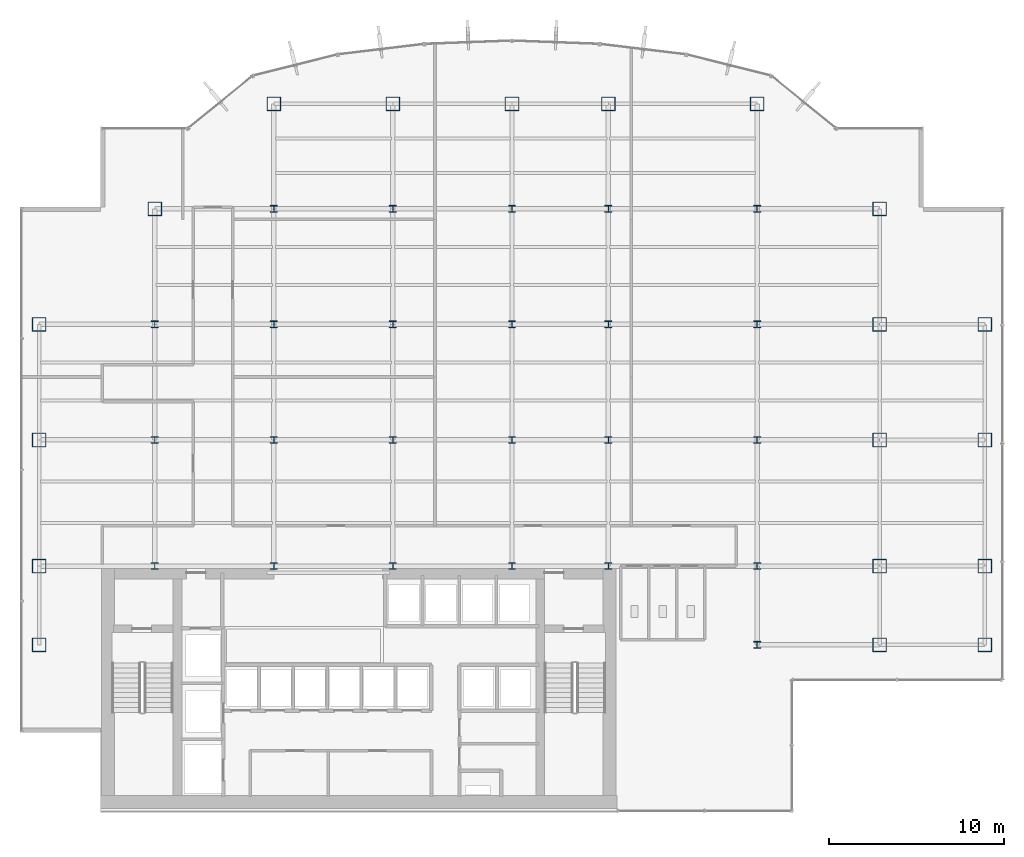
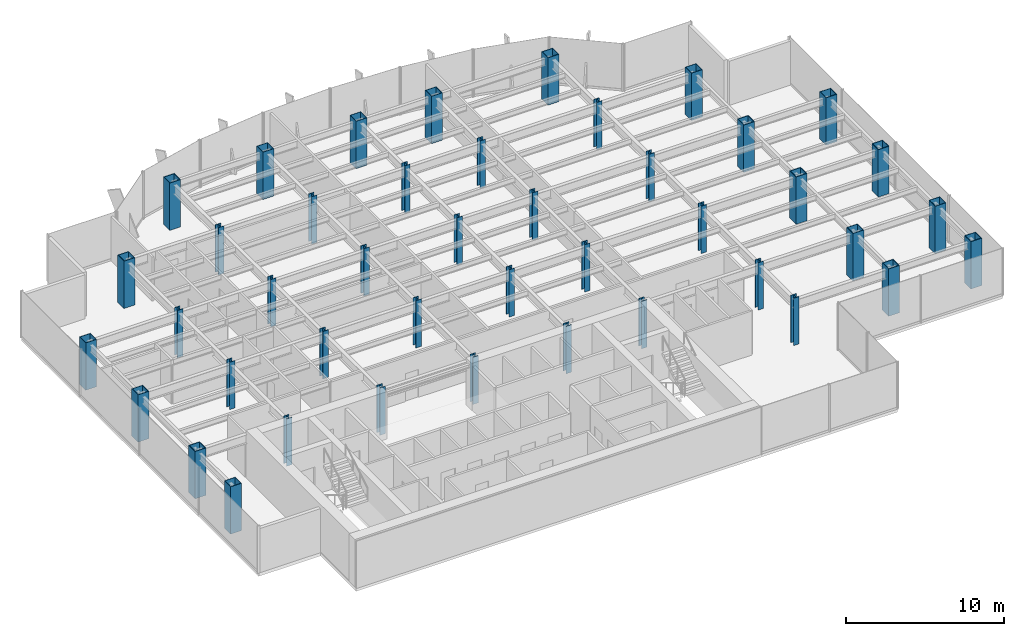
# One storey, part 1 of 26: 43 columns.
"""IFC4 building model written with IfcOpenShell, lengths in metres."""

import ifcopenshell
import ifcopenshell.guid

model = None  # the IFC model being written
_history = None  # IfcOwnerHistory: only IFC2X3 demands one
_inside = {}  # id of a spatial element -> (the spatial element, [elements in it])
_under = {}  # id of a project, library or spatial element -> (it, [spatial elements below it])
_declared = {}  # id of a project -> (the project, [libraries it declares])
_typed = {}  # id of a type object -> (the type object, [elements of that type])
_made_of = {}  # id of a material, layer set ... -> (it, [elements and type objects made of it])


def new_model(schema):
    """Start an empty IFC model of exactly this schema.

    Asked for "IFC4X3", IfcOpenShell would pick the latest addendum, in which some entities
    have other attributes; the version numbers below select the first issue.
    IFC2X3 requires an IfcOwnerHistory on every rooted entity: one is made here for all.
    """
    global model, _history
    if schema == "IFC4X3":
        model = ifcopenshell.file(schema_version=(4, 3, 0, 0))
    else:
        model = ifcopenshell.file(schema=schema)
    _inside.clear()
    _under.clear()
    _declared.clear()
    _typed.clear()
    _made_of.clear()
    _history = None
    if model.schema == "IFC2X3":
        org = make("IfcOrganization", Name="unknown")
        user = make(
            "IfcPersonAndOrganization",
            ThePerson=make("IfcPerson", FamilyName="unknown"),
            TheOrganization=org,
        )
        app = make(
            "IfcApplication",
            ApplicationDeveloper=org,
            Version="unknown",
            ApplicationFullName="unknown",
            ApplicationIdentifier="unknown",
        )
        _history = make(
            "IfcOwnerHistory",
            OwningUser=user,
            OwningApplication=app,
            ChangeAction="ADDED",
            CreationDate=0,
        )
    return model


def make(cls, **values):
    """One entity of the class cls with the attributes given. An attribute that is None is left unset."""
    return model.create_entity(
        cls, **{name: value for name, value in values.items() if value is not None}
    )


def rooted(cls, **values):
    """An entity with a GlobalId (a new one), such as an element, a storey or a relation."""
    return make(cls, GlobalId=ifcopenshell.guid.new(), OwnerHistory=_history, **values)


def si_unit(unit_type, name, prefix=None):
    """IfcSIUnit, for example si_unit("LENGTHUNIT", "METRE", prefix="MILLI")."""
    return make("IfcSIUnit", UnitType=unit_type, Prefix=prefix, Name=name)


def derived_unit(unit_type, elements):
    """IfcDerivedUnit: a product of units, each with its exponent."""
    return make(
        "IfcDerivedUnit",
        Elements=[
            make("IfcDerivedUnitElement", Unit=unit, Exponent=power)
            for unit, power in elements
        ],
        UnitType=unit_type,
    )


def assignment(units):
    """IfcUnitAssignment: the units of a project."""
    return None if units is None else make("IfcUnitAssignment", Units=units)


def point(xyz):
    """IfcCartesianPoint."""
    return None if xyz is None else make("IfcCartesianPoint", Coordinates=xyz)


def direction(xyz):
    """IfcDirection."""
    return None if xyz is None else make("IfcDirection", DirectionRatios=xyz)


def frame(location, z_axis=None, x_axis=None):
    """IfcAxis2Placement3D, a coordinate frame: its origin and axes. An axis left out is left unset."""
    return make(
        "IfcAxis2Placement3D",
        Location=point(location),
        Axis=direction(z_axis),
        RefDirection=direction(x_axis),
    )


def frame_2d(location, x_axis=None):
    """IfcAxis2Placement2D, a coordinate frame in the plane: its origin and x axis."""
    return make(
        "IfcAxis2Placement2D", Location=point(location), RefDirection=direction(x_axis)
    )


def origin():
    """The frame at (0, 0, 0) with its axes left unset."""
    return frame((0.0, 0.0, 0.0))


def origin_2d():
    """The frame at (0, 0) in the plane with its x axis left unset."""
    return frame_2d((0.0, 0.0))


def place(relative_to, where):
    """IfcLocalPlacement: puts the frame where relative to a parent placement (None: the world)."""
    return make(
        "IfcLocalPlacement", PlacementRelTo=relative_to, RelativePlacement=where
    )


def context(
    kind, dimensions, precision=None, world=None, true_north=None, identifier=None
):
    """IfcGeometricRepresentationContext, for example the 3D "Model" context."""
    return make(
        "IfcGeometricRepresentationContext",
        ContextIdentifier=identifier,
        ContextType=kind,
        CoordinateSpaceDimension=dimensions,
        Precision=precision,
        WorldCoordinateSystem=world,
        TrueNorth=true_north,
    )


def subcontext(parent, identifier, kind, view, scale=None):
    """IfcGeometricRepresentationSubContext, for example "Body" below "Model"."""
    return make(
        "IfcGeometricRepresentationSubContext",
        ContextIdentifier=identifier,
        ContextType=kind,
        ParentContext=parent,
        TargetScale=scale,
        TargetView=view,
    )


def project(units=None, contexts=None):
    """IfcProject with its units and contexts."""
    return rooted(
        "IfcProject",
        Name="project",
        RepresentationContexts=contexts,
        UnitsInContext=assignment(units),
    )


def spatial(cls, under=None, at=None, **own):
    """A site, building, storey or space (cls), placed at a placement, below another one or the project."""
    s = rooted(cls, ObjectPlacement=at, **own)
    if under is not None:
        _under.setdefault(under.id(), (under, []))[1].append(s)
    return s


def profile(cls, at=None, kind="AREA", **sizes):
    """A parametric profile (cls). Its sizes go by their IFC names, for example OverallWidth=200.0."""
    return make(cls, ProfileType=kind, Position=at, **sizes)


def hollow_rectangle(**sizes):
    """IfcRectangleHollowProfileDef."""
    return profile("IfcRectangleHollowProfileDef", **sizes)


def i_section(**sizes):
    """IfcIShapeProfileDef."""
    return profile("IfcIShapeProfileDef", **sizes)


def extrude(swept, where, along, depth):
    """IfcExtrudedAreaSolid: the profile swept, set in the frame where, extruded along a direction by depth."""
    return make(
        "IfcExtrudedAreaSolid",
        SweptArea=swept,
        Position=where,
        ExtrudedDirection=direction(along),
        Depth=depth,
    )


def shape(context_of_items, identifier, shape_type, items):
    """IfcShapeRepresentation: the items that make up one representation, for example the "Body"."""
    return make(
        "IfcShapeRepresentation",
        ContextOfItems=context_of_items,
        RepresentationIdentifier=identifier,
        RepresentationType=shape_type,
        Items=items,
    )


def source(mapping_origin, context_of_items, identifier, shape_type, items):
    """IfcRepresentationMap: a shape defined once, which mapped items show again and again."""
    return make(
        "IfcRepresentationMap",
        MappingOrigin=mapping_origin,
        MappedRepresentation=shape(context_of_items, identifier, shape_type, items),
    )


def transform(
    local_origin,
    x_axis=None,
    y_axis=None,
    z_axis=None,
    scale=None,
    scale2=None,
    scale3=None,
    uniform=True,
):
    """IfcCartesianTransformationOperator3D, or its non-uniform kind. x_axis, y_axis, z_axis: its Axis1, 2, 3."""
    if uniform:
        return make(
            "IfcCartesianTransformationOperator3D",
            Axis1=direction(x_axis),
            Axis2=direction(y_axis),
            LocalOrigin=point(local_origin),
            Scale=scale,
            Axis3=direction(z_axis),
        )
    return make(
        "IfcCartesianTransformationOperator3DnonUniform",
        Axis1=direction(x_axis),
        Axis2=direction(y_axis),
        LocalOrigin=point(local_origin),
        Scale=scale,
        Axis3=direction(z_axis),
        Scale2=scale2,
        Scale3=scale3,
    )


def mapped(mapping_source, mapping_target):
    """IfcMappedItem: shows the shape of a source again, moved by a transform."""
    return make(
        "IfcMappedItem", MappingSource=mapping_source, MappingTarget=mapping_target
    )


def material(Name=None, Category=None):
    """IfcMaterial."""
    return make("IfcMaterial", Name=Name, Category=Category)


def material_profile(
    of_material, cross_section, Name=None, Category=None, Priority=None
):
    """IfcMaterialProfile: a cross section and its material."""
    return make(
        "IfcMaterialProfile",
        Name=Name,
        Material=of_material,
        Profile=cross_section,
        Priority=Priority,
        Category=Category,
    )


def profile_set(profiles, Name=None, composite=None):
    """IfcMaterialProfileSet."""
    return make(
        "IfcMaterialProfileSet",
        Name=Name,
        MaterialProfiles=profiles,
        CompositeProfile=composite,
    )


def made_of(thing, what):
    """Note that an element or type object is made of a material, layer set ...; save() writes the relation."""
    if what is not None:
        _made_of.setdefault(what.id(), (what, []))[1].append(thing)
    return thing


def type_object(cls, material=None, **own):
    """A type object (cls), such as IfcWallType, which elements share."""
    return made_of(rooted(cls, **own), material)


def element(
    cls,
    number,
    at=None,
    inside=None,
    cuts=None,
    type_object=None,
    material=None,
    context=None,
    identifier="Body",
    shape_type=None,
    held_by="IfcProductDefinitionShape",
    body=None,
    shapes=None,
    **own,
):
    """One element of the class cls, such as IfcWall. Its Tag is "e" and its number.

    at: its placement. inside: the storey or other place that contains it. cuts: it is an
    opening in that element (IfcRelVoidsElement). A single representation is given by context,
    identifier, shape_type and body (its items); several are given by shapes. held_by: the class
    of the entity that holds the representations. save() writes the other relations.
    """
    e = rooted(cls, Tag="e%d" % number, ObjectPlacement=at, **own)
    if body is not None:
        shapes = [shape(context, identifier, shape_type, body)]
    if shapes is not None:
        e.Representation = make(held_by, Representations=shapes)
    if inside is not None:
        _inside.setdefault(inside.id(), (inside, []))[1].append(e)
    if cuts is not None:
        rooted(
            "IfcRelVoidsElement", RelatingBuildingElement=cuts, RelatedOpeningElement=e
        )
    if type_object is not None:
        _typed.setdefault(type_object.id(), (type_object, []))[1].append(e)
    return made_of(e, material)


def aggregate(whole, parts):
    """IfcRelAggregates: a whole, such as a stair, and the parts it consists of."""
    return rooted("IfcRelAggregates", RelatingObject=whole, RelatedObjects=parts)


def save(model, path):
    """Write the relations noted so far, then the file.

    IfcRelAggregates (storeys below a building ...), IfcRelContainedInSpatialStructure (elements
    in a storey), IfcRelDefinesByType, IfcRelAssociatesMaterial and IfcRelDeclares: one each for
    every whole, place, type object, material and project.
    """
    for whole, parts in _under.values():
        aggregate(whole, parts)
    for where, things in _inside.values():
        rooted(
            "IfcRelContainedInSpatialStructure",
            RelatedElements=things,
            RelatingStructure=where,
        )
    for kind, things in _typed.values():
        rooted("IfcRelDefinesByType", RelatedObjects=things, RelatingType=kind)
    for what, things in _made_of.values():
        rooted("IfcRelAssociatesMaterial", RelatedObjects=things, RelatingMaterial=what)
    for by, libraries in _declared.values():
        rooted("IfcRelDeclares", RelatingContext=by, RelatedDefinitions=libraries)
    model.write(path)


model = new_model("IFC4")

# Units and contexts
model_context = context("Model", 3, precision=1e-05, world=origin(), true_north=direction((0.0, 1.0)))
body_context = subcontext(model_context, "Body", "Model", "MODEL_VIEW")
ifc_project = project(units=[si_unit("LENGTHUNIT", "METRE"), si_unit("AREAUNIT", "SQUARE_METRE"), si_unit("VOLUMEUNIT", "CUBIC_METRE"), si_unit("PLANEANGLEUNIT", "RADIAN"), si_unit("MASSUNIT", "GRAM", prefix="KILO"), derived_unit("THERMALTRANSMITTANCEUNIT", [(si_unit("POWERUNIT", "WATT"), 1), (si_unit("LENGTHUNIT", "METRE"), -2), (si_unit("THERMODYNAMICTEMPERATUREUNIT", "KELVIN"), -1)])], contexts=[model_context])

# Site, building, storey
site_placement = place(None, origin())
site = spatial("IfcSite", under=ifc_project, at=site_placement, CompositionType="ELEMENT")
building_placement = place(site_placement, origin())
building = spatial("IfcBuilding", under=site, at=building_placement, Name="Skarnbrae Concourse Arena and Tower", CompositionType="ELEMENT")
storey_placement = place(building_placement, frame((0.0, 0.0, 125.14990234375)))
storey = spatial("IfcBuildingStorey", under=building, at=storey_placement, Name="L31", CompositionType="ELEMENT", Elevation=125.14990234375)

# Columns
ifc_material = material(Name="Steel CSA G40.21 350W", Category="steel")
ifc_material_profile_1 = material_profile(ifc_material, hollow_rectangle(XDim=0.800048828125, YDim=0.800048828125, WallThickness=0.0400390625, at=origin_2d()), Name="BOX800X800X40")
ifc_profile_set_1 = profile_set([ifc_material_profile_1], Name="Steel CSA G40.21 350W")
column_type_1 = type_object("IfcColumnType", Name="COL-TUBE-BOX800", PredefinedType="COLUMN", material=ifc_profile_set_1)
shared_shape_1 = source(origin(), body_context, "Body", "SweptSolid", [
    extrude(hollow_rectangle(XDim=0.800048828125, YDim=0.800048828125, WallThickness=0.0400390625, at=origin_2d()), origin(), (0.0, 0.0, 1.0), 3.650146484375),
])
for number, where, z_axis, x_axis, name in (
    (1, (1.0, 9.5, 0.0), (0.0, 0.0, 1.0), (1.0, 0.0, 0.0), "L31 Tower column PC_01_01"),
    (2, (1.0, 14.0, 0.0), (0.0, 0.0, 1.0), (1.0, 0.0, 0.0), "L31 Tower column PC_01_02"),
    (3, (1.0, 21.199951171875, 0.0), (0.0, 0.0, 1.0), (1.0, 0.0, 0.0), "L31 Tower column PC_01_03"),
    (4, (1.0, 27.800048828125, 0.0), (0.0, 0.0, 1.0), (1.0, 0.0, 0.0), "L31 Tower column PC_01_04"),
    (5, (7.60009765625, 34.39990234375, 0.0), (0.0, 0.0, 1.0), (1.0, 0.0, 0.0), "L31 Tower column PC_02_05"),
    (6, (14.39990234375, 40.39990234375, 0.0), (0.0, 0.0, 1.0), (1.0, 0.0, 0.0), "L31 Tower column PC_03_06"),
    (7, (21.199951171875, 40.39990234375, 0.0), (0.0, 0.0, 1.0), (1.0, 0.0, 0.0), "L31 Tower column PC_04_06"),
    (8, (28.0, 40.39990234375, 0.0), (0.0, 0.0, 1.0), (1.0, 0.0, 0.0), "L31 Tower column PC_05_06"),
    (9, (33.5, 40.39990234375, 0.0), (0.0, 0.0, 1.0), (1.0, 0.0, 0.0), "L31 Tower column PC_06_06"),
    (10, (42.0, 40.39990234375, 0.0), (0.0, 0.0, 1.0), (1.0, 0.0, 0.0), "L31 Tower column PC_07_06"),
    (11, (49.0, 9.5, 0.0), (0.0, 0.0, 1.0), (1.0, 0.0, 0.0), "L31 Tower column PC_08_01"),
    (12, (49.0, 14.0, 0.0), (0.0, 0.0, 1.0), (1.0, 0.0, 0.0), "L31 Tower column PC_08_02"),
    (13, (49.0, 21.199951171875, 0.0), (0.0, 0.0, 1.0), (1.0, 0.0, 0.0), "L31 Tower column PC_08_03"),
    (14, (49.0, 27.800048828125, 0.0), (0.0, 0.0, 1.0), (1.0, 0.0, 0.0), "L31 Tower column PC_08_04"),
    (15, (49.0, 34.39990234375, 0.0), (0.0, 0.0, 1.0), (1.0, 0.0, 0.0), "L31 Tower column PC_08_05"),
    (16, (55.0, 9.5, 0.0), (0.0, 0.0, 1.0), (1.0, 0.0, 0.0), "L31 Tower column PC_09_01"),
    (17, (55.0, 14.0, 0.0), (0.0, 0.0, 1.0), (1.0, 0.0, 0.0), "L31 Tower column PC_09_02"),
    (18, (55.0, 21.199951171875, 0.0), (0.0, 0.0, 1.0), (1.0, 0.0, 0.0), "L31 Tower column PC_09_03"),
    (19, (55.0, 27.800048828125, 0.0), (0.0, 0.0, 1.0), (1.0, 0.0, 0.0), "L31 Tower column PC_09_04"),
):
    element("IfcColumn", number, at=place(storey_placement, frame(where, z_axis=z_axis, x_axis=x_axis)), inside=storey, type_object=column_type_1, Name=name, PredefinedType="COLUMN", context=body_context, shape_type="MappedRepresentation", body=[
        mapped(shared_shape_1, transform((0.0, 0.0, 0.0))),
    ])
ifc_material_profile_2 = material_profile(ifc_material, i_section(OverallWidth=0.39892578125, OverallDepth=0.39306640625, WebThickness=0.022705078125, FlangeThickness=0.03662109375, at=origin_2d()), Name="W360X287")
ifc_profile_set_2 = profile_set([ifc_material_profile_2], Name="Steel CSA G40.21 350W")
column_type_2 = type_object("IfcColumnType", Name="COL-INT-W360X287", PredefinedType="COLUMN", material=ifc_profile_set_2)
shared_shape_2 = source(origin(), body_context, "Body", "SweptSolid", [
    extrude(i_section(OverallWidth=0.39892578125, OverallDepth=0.39306640625, WebThickness=0.022705078125, FlangeThickness=0.03662109375, at=origin_2d()), origin(), (0.0, 0.0, 1.0), 3.650146484375),
])
for number, where, z_axis, x_axis, name in (
    (20, (7.60009765625, 14.0, 0.0), (0.0, 0.0, 1.0), (1.0, 0.0, 0.0), "L31 Tower column IC_02_02"),
    (21, (7.60009765625, 21.199951171875, 0.0), (0.0, 0.0, 1.0), (1.0, 0.0, 0.0), "L31 Tower column IC_02_03"),
    (22, (7.60009765625, 27.800048828125, 0.0), (0.0, 0.0, 1.0), (1.0, 0.0, 0.0), "L31 Tower column IC_02_04"),
    (23, (14.39990234375, 14.0, 0.0), (0.0, 0.0, 1.0), (1.0, 0.0, 0.0), "L31 Tower column IC_03_02"),
    (24, (14.39990234375, 21.199951171875, 0.0), (0.0, 0.0, 1.0), (1.0, 0.0, 0.0), "L31 Tower column IC_03_03"),
    (25, (14.39990234375, 27.800048828125, 0.0), (0.0, 0.0, 1.0), (1.0, 0.0, 0.0), "L31 Tower column IC_03_04"),
    (26, (14.39990234375, 34.39990234375, 0.0), (0.0, 0.0, 1.0), (1.0, 0.0, 0.0), "L31 Tower column IC_03_05"),
    (27, (21.199951171875, 14.0, 0.0), (0.0, 0.0, 1.0), (1.0, 0.0, 0.0), "L31 Tower column IC_04_02"),
    (28, (21.199951171875, 21.199951171875, 0.0), (0.0, 0.0, 1.0), (1.0, 0.0, 0.0), "L31 Tower column IC_04_03"),
    (29, (21.199951171875, 27.800048828125, 0.0), (0.0, 0.0, 1.0), (1.0, 0.0, 0.0), "L31 Tower column IC_04_04"),
    (30, (21.199951171875, 34.39990234375, 0.0), (0.0, 0.0, 1.0), (1.0, 0.0, 0.0), "L31 Tower column IC_04_05"),
    (31, (28.0, 14.0, 0.0), (0.0, 0.0, 1.0), (1.0, 0.0, 0.0), "L31 Tower column IC_05_02"),
    (32, (28.0, 21.199951171875, 0.0), (0.0, 0.0, 1.0), (1.0, 0.0, 0.0), "L31 Tower column IC_05_03"),
    (33, (28.0, 27.800048828125, 0.0), (0.0, 0.0, 1.0), (1.0, 0.0, 0.0), "L31 Tower column IC_05_04"),
    (34, (28.0, 34.39990234375, 0.0), (0.0, 0.0, 1.0), (1.0, 0.0, 0.0), "L31 Tower column IC_05_05"),
    (35, (33.5, 14.0, 0.0), (0.0, 0.0, 1.0), (1.0, 0.0, 0.0), "L31 Tower column IC_06_02"),
    (36, (33.5, 21.199951171875, 0.0), (0.0, 0.0, 1.0), (1.0, 0.0, 0.0), "L31 Tower column IC_06_03"),
    (37, (33.5, 27.800048828125, 0.0), (0.0, 0.0, 1.0), (1.0, 0.0, 0.0), "L31 Tower column IC_06_04"),
    (38, (33.5, 34.39990234375, 0.0), (0.0, 0.0, 1.0), (1.0, 0.0, 0.0), "L31 Tower column IC_06_05"),
    (39, (42.0, 9.5, 0.0), (0.0, 0.0, 1.0), (1.0, 0.0, 0.0), "L31 Tower column IC_07_01"),
    (40, (42.0, 14.0, 0.0), (0.0, 0.0, 1.0), (1.0, 0.0, 0.0), "L31 Tower column IC_07_02"),
    (41, (42.0, 21.199951171875, 0.0), (0.0, 0.0, 1.0), (1.0, 0.0, 0.0), "L31 Tower column IC_07_03"),
    (42, (42.0, 27.800048828125, 0.0), (0.0, 0.0, 1.0), (1.0, 0.0, 0.0), "L31 Tower column IC_07_04"),
    (43, (42.0, 34.39990234375, 0.0), (0.0, 0.0, 1.0), (1.0, 0.0, 0.0), "L31 Tower column IC_07_05"),
):
    element("IfcColumn", number, at=place(storey_placement, frame(where, z_axis=z_axis, x_axis=x_axis)), inside=storey, type_object=column_type_2, Name=name, PredefinedType="COLUMN", context=body_context, shape_type="MappedRepresentation", body=[
        mapped(shared_shape_2, transform((0.0, 0.0, 0.0))),
    ])

save(model, "model.ifc")
